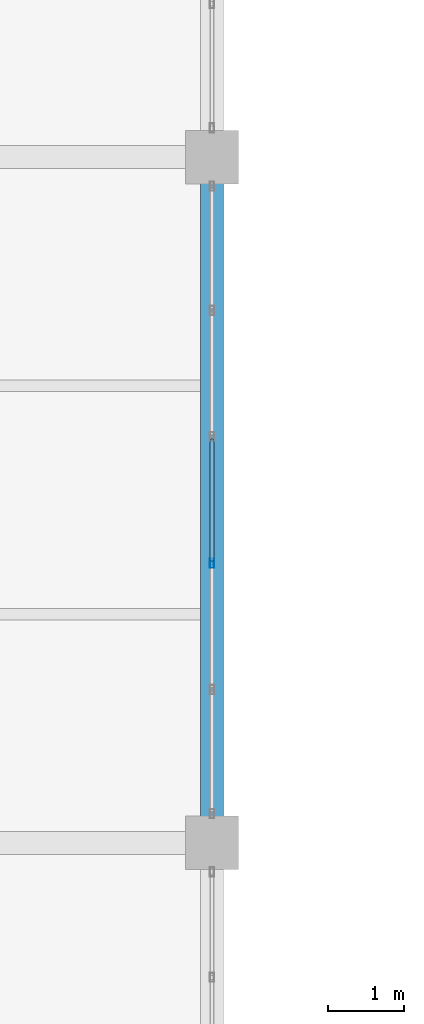
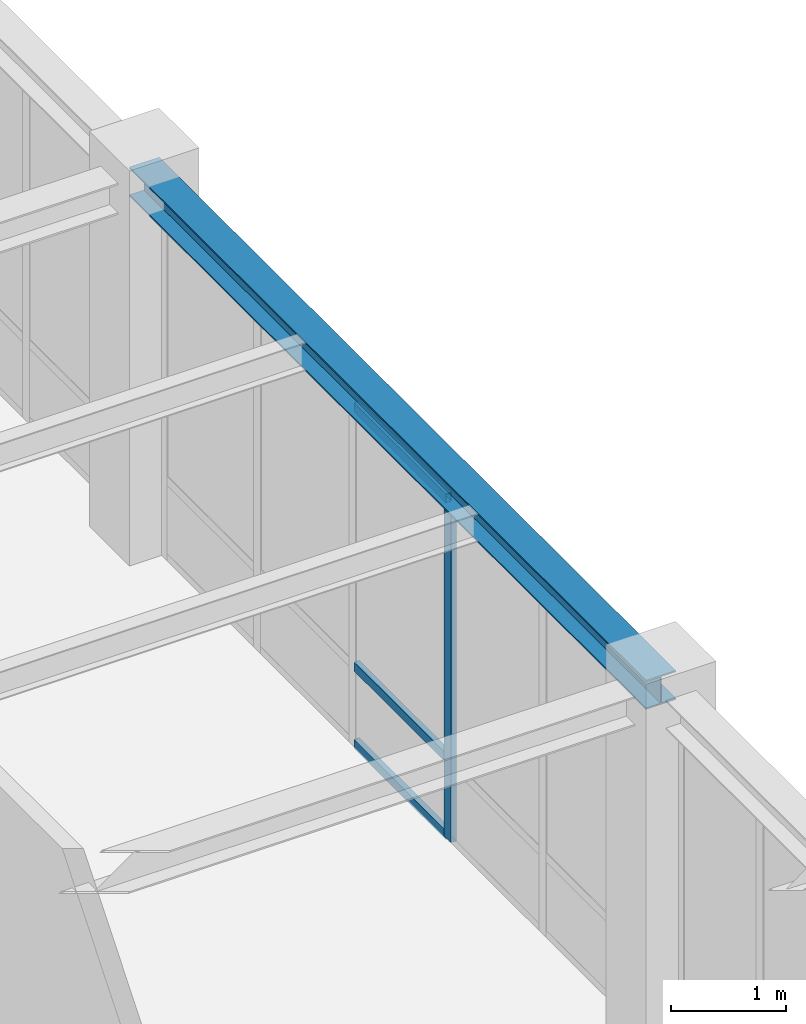
# One storey, part 31 of 108: 4 members, 1 beam, 1 element without a shape of its own.
"""IFC4 building model written with IfcOpenShell, lengths in metres."""

from ifc_helpers import new_model, si_unit, direction, frame, origin, origin_2d, place, context, subcontext, project, spatial, hollow_rectangle, i_section, extrude, material, material_profile, profile_set, type_object, element, aggregate, save


model = new_model("IFC4")

# Units and contexts
model_context = context("Model", 3, precision=1e-05, world=origin(), true_north=direction((0.0, 1.0)))
body_context = subcontext(model_context, "Body", "Model", "MODEL_VIEW")
ifc_project = project(units=[si_unit("LENGTHUNIT", "METRE"), si_unit("AREAUNIT", "SQUARE_METRE"), si_unit("VOLUMEUNIT", "CUBIC_METRE"), si_unit("PLANEANGLEUNIT", "RADIAN"), si_unit("MASSUNIT", "GRAM", prefix="KILO")], contexts=[model_context])

# Site, building, storey
site_placement = place(None, origin())
site = spatial("IfcSite", under=ifc_project, at=site_placement, CompositionType="ELEMENT")
building_placement = place(site_placement, origin())
building = spatial("IfcBuilding", under=site, at=building_placement, Name="Lykobir Media Centre", CompositionType="ELEMENT")
storey_placement = place(building_placement, frame((0.0, 0.0, 15.0)))
storey = spatial("IfcBuildingStorey", under=building, at=storey_placement, Name="L03", CompositionType="ELEMENT", Elevation=15.0)

# Beam
ifc_material_1 = material(Name="Steel S355", Category="steel")
ifc_material_profile_1 = material_profile(ifc_material_1, i_section(OverallWidth=0.300048828125, OverallDepth=0.31005859375, WebThickness=0.009033203125, FlangeThickness=0.015380859375, at=origin_2d()), Name="HEA 320")
ifc_profile_set_1 = profile_set([ifc_material_profile_1], Name="Steel S355")
beam_type = type_object("IfcBeamType", Name="BM-HEA320", PredefinedType="BEAM", material=ifc_profile_set_1)
beam_placement = place(storey_placement, frame((36.0, 27.0, 3.804931640625), z_axis=(0.0, 1.0, 0.0), x_axis=(-1.0, 0.0, 0.0)))
element("IfcBeam", 1, at=beam_placement, inside=storey, type_object=beam_type, Name="Beam BM-L03-0360-0270-0360-0360-1880", PredefinedType="BEAM", context=body_context, shape_type="SweptSolid", body=[
    extrude(i_section(OverallWidth=0.300048828125, OverallDepth=0.31005859375, WebThickness=0.009033203125, FlangeThickness=0.015380859375, at=origin_2d()), origin(), (0.0, 0.0, 1.0), 9.0),
])

# Curtain wall, members
ifc_material_2 = material(Name="Anodized Aluminium AW-6060", Category="aluminium")
curtain_wall_type = type_object("IfcCurtainWallType", Name="CW-COURT-B", PredefinedType="NOTDEFINED", material=ifc_material_2)
curtain_wall_placement = place(storey_placement, origin())
curtain_wall = element("IfcCurtainWall", 2, at=curtain_wall_placement, inside=storey, type_object=curtain_wall_type, Name="Curtain wall CW2-L03-0116", PredefinedType="NOTDEFINED")
ifc_material_profile_2 = material_profile(ifc_material_2, hollow_rectangle(XDim=0.054931640625, YDim=0.1201171875, WallThickness=0.003173828125, at=origin_2d()), Name="ALU MULLION 55x120")
ifc_profile_set_2 = profile_set([ifc_material_profile_2], Name="Anodized Aluminium AW-6060")
member_type_1 = type_object("IfcMemberType", Name="CWM-120", PredefinedType="MULLION", material=ifc_profile_set_2)
member_1_placement = place(storey_placement, frame((36.0, 30.6708984375, 0.0), z_axis=(0.0, 0.0, 1.0), x_axis=(1.0, 0.0, 0.0)))
member_1 = element("IfcMember", 3, at=member_1_placement, type_object=member_type_1, Name="CW2-L03-0116 mullion 4", PredefinedType="MULLION", context=body_context, shape_type="SweptSolid", body=[
    extrude(hollow_rectangle(XDim=0.054931640625, YDim=0.1201171875, WallThickness=0.003173828125, at=origin_2d()), origin(), (0.0, 0.0, 1.0), 3.635009765625),
])
ifc_material_profile_3 = material_profile(ifc_material_2, hollow_rectangle(XDim=0.054931640625, YDim=0.094970703125, WallThickness=0.0029296875, at=origin_2d()), Name="ALU TRANSOM 55x95")
ifc_profile_set_3 = profile_set([ifc_material_profile_3], Name="Anodized Aluminium AW-6060")
member_type_2 = type_object("IfcMemberType", Name="CWT-095", PredefinedType="USERDEFINED", material=ifc_profile_set_3)
member_2_placement = place(storey_placement, frame((36.0, 32.301513671875, 0.027587890625), z_axis=(0.0, -1.0, 0.0), x_axis=(1.0, 0.0, 0.0)))
member_2 = element("IfcMember", 4, at=member_2_placement, type_object=member_type_2, Name="CW2-L03-0116 transom 3.1", ObjectType="TRANSOM", PredefinedType="USERDEFINED", context=body_context, shape_type="SweptSolid", body=[
    extrude(hollow_rectangle(XDim=0.054931640625, YDim=0.094970703125, WallThickness=0.0029296875, at=origin_2d()), origin(), (0.0, 0.0, 1.0), 1.60302734375),
])
member_3_placement = place(storey_placement, frame((36.0, 32.301513671875, 0.85009765625), z_axis=(0.0, -1.0, 0.0), x_axis=(1.0, 0.0, 0.0)))
member_3 = element("IfcMember", 5, at=member_3_placement, type_object=member_type_2, Name="CW2-L03-0116 transom 3.2", ObjectType="TRANSOM", PredefinedType="USERDEFINED", context=body_context, shape_type="SweptSolid", body=[
    extrude(hollow_rectangle(XDim=0.054931640625, YDim=0.094970703125, WallThickness=0.0029296875, at=origin_2d()), origin(), (0.0, 0.0, 1.0), 1.60302734375),
])
member_4_placement = place(storey_placement, frame((36.0, 32.301513671875, 3.607421875), z_axis=(0.0, -1.0, 0.0), x_axis=(1.0, 0.0, 0.0)))
member_4 = element("IfcMember", 6, at=member_4_placement, type_object=member_type_2, Name="CW2-L03-0116 transom 3.3", ObjectType="TRANSOM", PredefinedType="USERDEFINED", context=body_context, shape_type="SweptSolid", body=[
    extrude(hollow_rectangle(XDim=0.054931640625, YDim=0.094970703125, WallThickness=0.0029296875, at=origin_2d()), origin(), (0.0, 0.0, 1.0), 1.60302734375),
])
aggregate(curtain_wall, [member_1, member_2, member_3, member_4])

save(model, "model.ifc")
